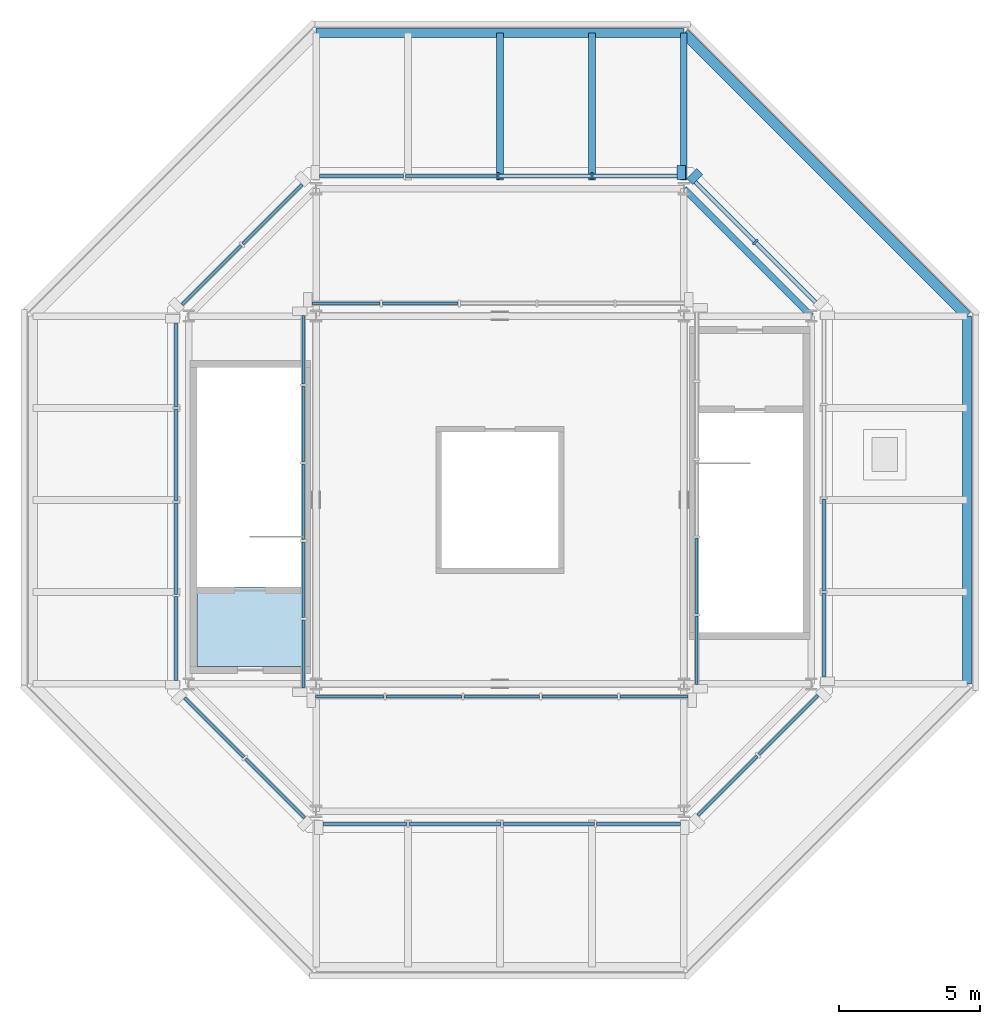
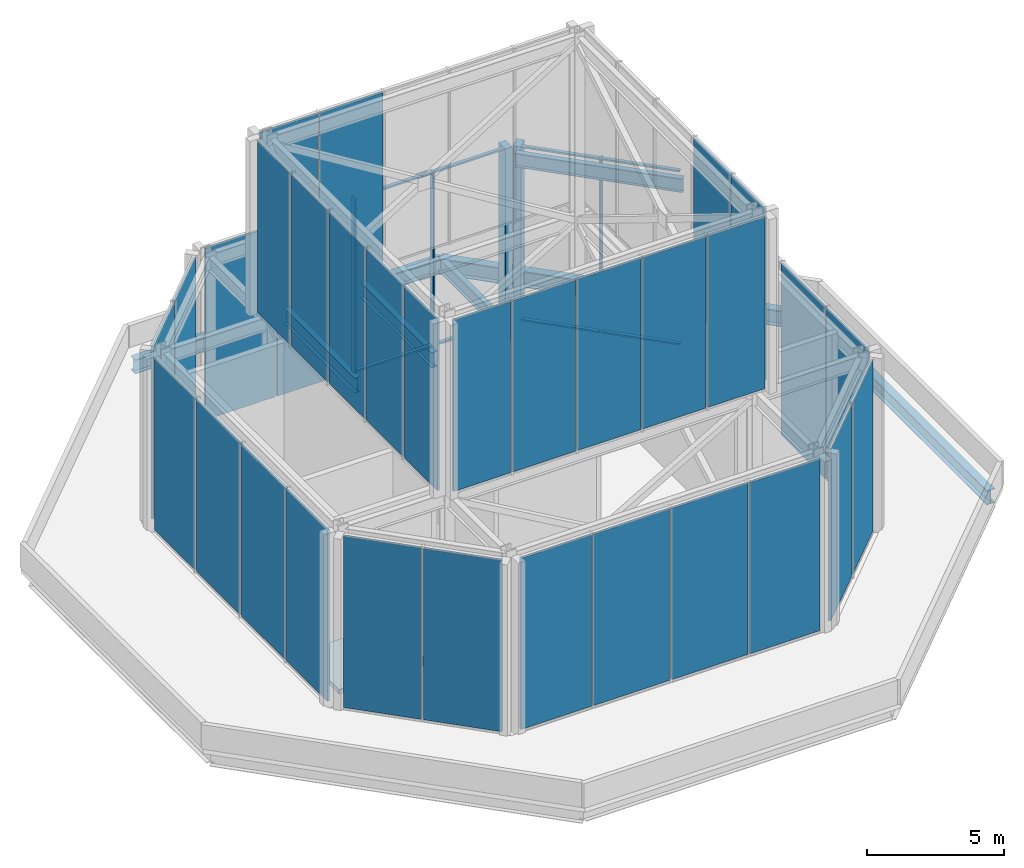
# One storey, part 4 of 6: 32 plates, 13 members, 7 beams, 1 slab, 12 elements without a shape of their own.
"""IFC4 building model written with IfcOpenShell, lengths in metres."""

from ifc_helpers import new_model, si_unit, direction, frame, origin, origin_2d, place, context, subcontext, project, spatial, polyline, rectangle, i_section, outline, extrude, material, layer, layer_set, material_profile, profile_set, type_object, element, aggregate, save


model = new_model("IFC4")

# Units and contexts
model_context = context("Model", 3, precision=1e-05, world=origin(), true_north=direction((0.0, 1.0)))
body_context = subcontext(model_context, "Body", "Model", "MODEL_VIEW")
ifc_project = project(units=[si_unit("LENGTHUNIT", "METRE"), si_unit("AREAUNIT", "SQUARE_METRE"), si_unit("VOLUMEUNIT", "CUBIC_METRE"), si_unit("PLANEANGLEUNIT", "RADIAN"), si_unit("MASSUNIT", "GRAM", prefix="KILO")], contexts=[model_context])

# Site, building, storey
site_placement = place(None, origin())
site = spatial("IfcSite", under=ifc_project, at=site_placement, CompositionType="ELEMENT")
building_placement = place(site_placement, origin())
building = spatial("IfcBuilding", under=site, at=building_placement, Name="Trevanion Tower", CompositionType="ELEMENT")
storey_placement = place(building_placement, frame((0.0, 0.0, 310.199951171875)))
storey = spatial("IfcBuildingStorey", under=building, at=storey_placement, Name="ROOF", CompositionType="ELEMENT", Elevation=310.199951171875)

# Beams
ifc_material_1 = material(Name="Steel ASTM A992 Grade 50", Category="steel")
ifc_material_profile_1 = material_profile(ifc_material_1, i_section(OverallWidth=0.25390625, OverallDepth=0.683349609375, WebThickness=0.012451171875, FlangeThickness=0.01904296875, at=origin_2d()), Name="W27X94")
ifc_profile_set_1 = profile_set([ifc_material_profile_1], Name="Steel ASTM A992 Grade 50")
beam_type_1 = type_object("IfcBeamType", Name="B16 W27X94", PredefinedType="BEAM", material=ifc_profile_set_1)
for number, where, z_axis, x_axis, name in (
    (1, (3.25, 11.300048828125, -0.531494140625), (0.0, 1.0, 0.0), (-1.0, 0.0, 0.0), "B16 ROOF"),
    (2, (0.0, 11.300048828125, -0.531494140625), (0.0, 1.0, 0.0), (-1.0, 0.0, 0.0), "B16 ROOF"),
):
    element("IfcBeam", number, at=place(storey_placement, frame(where, z_axis=z_axis, x_axis=x_axis)), inside=storey, type_object=beam_type_1, Name=name, PredefinedType="BEAM", context=body_context, shape_type="SweptSolid", body=[
        extrude(i_section(OverallWidth=0.25390625, OverallDepth=0.683349609375, WebThickness=0.012451171875, FlangeThickness=0.01904296875, at=origin_2d()), origin(), (0.0, 0.0, 1.0), 5.199951171875),
    ])
ifc_material_2 = material(Name="Steel ASTM A992 Grade 50", Category="steel")
ifc_material_profile_2 = material_profile(ifc_material_2, i_section(OverallWidth=0.23046875, OverallDepth=0.6171875, WebThickness=0.01318359375, FlangeThickness=0.022216796875, at=origin_2d()), Name="W24X94")
ifc_profile_set_2 = profile_set([ifc_material_profile_2], Name="Steel ASTM A992 Grade 50")
beam_type_2 = type_object("IfcBeamType", Name="CR1 W24X94", PredefinedType="BEAM", material=ifc_profile_set_2)
beam_1_placement = place(storey_placement, frame((11.0, 6.5, 7.50146484375), z_axis=(-0.707106781187, 0.707106781187, 0.0), x_axis=(-0.707106781187, -0.707106781187, 0.0)))
element("IfcBeam", 3, at=beam_1_placement, inside=storey, type_object=beam_type_2, Name="CR1 crown T1 ring", PredefinedType="BEAM", context=body_context, shape_type="SweptSolid", body=[
    extrude(i_section(OverallWidth=0.23046875, OverallDepth=0.6171875, WebThickness=0.01318359375, FlangeThickness=0.022216796875, at=origin_2d()), origin(), (0.0, 0.0, 1.0), 6.364013671875),
])

# Curtain wall, member
ifc_material_3 = material(Name="Aluminium louvres", Category="aluminium")
curtain_wall_type = type_object("IfcCurtainWallType", Name="CWC curtain wall", PredefinedType="USERDEFINED", material=ifc_material_3)
curtain_wall_1_placement = place(storey_placement, origin())
curtain_wall_1 = element("IfcCurtainWall", 4, at=curtain_wall_1_placement, inside=storey, type_object=curtain_wall_type, Name="CWC ROOF 0", ObjectType="LOUVRE SCREEN", PredefinedType="USERDEFINED")
ifc_material_4 = material(Name="Aluminium extrusion, anodised bronze", Category="aluminium")
ifc_material_profile_3 = material_profile(ifc_material_4, rectangle(XDim=0.074951171875, YDim=0.25, at=origin_2d()), Name="CWC mullion")
ifc_profile_set_3 = profile_set([ifc_material_profile_3], Name="Aluminium extrusion, anodised bronze")
member_type_1 = type_object("IfcMemberType", Name="CWC mullion", PredefinedType="MULLION", material=ifc_profile_set_3)
member_1_placement = place(storey_placement, frame((9.022216796875, 9.1142578125, 0.0), z_axis=(0.0, 0.0, 1.0), x_axis=(-0.707106781187, 0.707106781187, 0.0)))
member_1 = element("IfcMember", 5, at=member_1_placement, type_object=member_type_1, Name="CWC mullion 2", PredefinedType="MULLION", context=body_context, shape_type="SweptSolid", body=[
    extrude(rectangle(XDim=0.074951171875, YDim=0.25, at=origin_2d()), origin(), (0.0, 0.0, 1.0), 7.81005859375),
])

# Curtain wall, members
curtain_wall_2_placement = place(storey_placement, origin())
curtain_wall_2 = element("IfcCurtainWall", 6, at=curtain_wall_2_placement, inside=storey, type_object=curtain_wall_type, Name="CWC ROOF 1", ObjectType="LOUVRE SCREEN", PredefinedType="USERDEFINED")
member_2_placement = place(storey_placement, frame((3.24560546875, 11.449951171875, 0.0), z_axis=(0.0, 0.0, 1.0), x_axis=(-1.0, 0.0, 0.0)))
member_2 = element("IfcMember", 7, at=member_2_placement, type_object=member_type_1, Name="CWC mullion 2", PredefinedType="MULLION", context=body_context, shape_type="SweptSolid", body=[
    extrude(rectangle(XDim=0.074951171875, YDim=0.25, at=origin_2d()), origin(), (0.0, 0.0, 1.0), 7.81005859375),
])
member_3_placement = place(storey_placement, frame((-0.06494140625, 11.449951171875, 0.0), z_axis=(0.0, 0.0, 1.0), x_axis=(-1.0, 0.0, 0.0)))
member_3 = element("IfcMember", 8, at=member_3_placement, type_object=member_type_1, Name="CWC mullion 3", PredefinedType="MULLION", context=body_context, shape_type="SweptSolid", body=[
    extrude(rectangle(XDim=0.074951171875, YDim=0.25, at=origin_2d()), origin(), (0.0, 0.0, 1.0), 7.81005859375),
])

# Member
ifc_material_5 = material(Name="Aluminium extrusion, anodised bronze", Category="aluminium")
ifc_material_profile_4 = material_profile(ifc_material_5, rectangle(XDim=0.300048828125, YDim=0.5, at=origin_2d()), Name="CWC pier mullion")
ifc_profile_set_4 = profile_set([ifc_material_profile_4], Name="Aluminium extrusion, anodised bronze")
member_type_2 = type_object("IfcMemberType", Name="CWC pier mullion", PredefinedType="MULLION", material=ifc_profile_set_4)
member_4_placement = place(storey_placement, frame((6.880859375, 11.432373046875, 0.0), z_axis=(0.0, 0.0, 1.0), x_axis=(-0.707106781187, 0.707106781187, 0.0)))
member_4 = element("IfcMember", 9, at=member_4_placement, type_object=member_type_2, Name="CWC pier mullion 3", PredefinedType="MULLION", context=body_context, shape_type="SweptSolid", body=[
    extrude(rectangle(XDim=0.300048828125, YDim=0.5, at=origin_2d()), origin(), (0.0, 0.0, 1.0), 7.81005859375),
])

member_5_placement = place(storey_placement, frame((6.406494140625, 11.574951171875, 0.0), z_axis=(0.0, 0.0, 1.0), x_axis=(-1.0, 0.0, 0.0)))
member_5 = element("IfcMember", 10, at=member_5_placement, type_object=member_type_2, Name="CWC pier mullion 1", PredefinedType="MULLION", context=body_context, shape_type="SweptSolid", body=[
    extrude(rectangle(XDim=0.300048828125, YDim=0.5, at=origin_2d()), origin(), (0.0, 0.0, 1.0), 7.81005859375),
])

ifc_material_6 = material(Name="Aluminium extrusion, anodised bronze", Category="aluminium")
ifc_material_profile_5 = material_profile(ifc_material_6, rectangle(XDim=0.14990234375, YDim=0.074951171875, at=origin_2d()), Name="CWC transom")
ifc_profile_set_5 = profile_set([ifc_material_profile_5], Name="Aluminium extrusion, anodised bronze")
member_type_3 = type_object("IfcMemberType", Name="CWC transom", PredefinedType="USERDEFINED", material=ifc_profile_set_5)
member_6_placement = place(storey_placement, frame((11.14599609375, 6.990478515625, 0.03759765625), z_axis=(-0.707106781187, 0.707106781187, 0.0), x_axis=(-0.707106781187, -0.707106781187, 0.0)))
member_6 = element("IfcMember", 11, at=member_6_placement, type_object=member_type_3, Name="CWC transom 1.1", ObjectType="TRANSOM", PredefinedType="USERDEFINED", context=body_context, shape_type="SweptSolid", body=[
    extrude(rectangle(XDim=0.14990234375, YDim=0.074951171875, at=origin_2d()), origin(), (0.0, 0.0, 1.0), 2.9658203125),
])

member_7_placement = place(storey_placement, frame((11.14599609375, 6.990478515625, 7.7724609375), z_axis=(-0.707106781187, 0.707106781187, 0.0), x_axis=(-0.707106781187, -0.707106781187, 0.0)))
member_7 = element("IfcMember", 12, at=member_7_placement, type_object=member_type_3, Name="CWC transom 1.2", ObjectType="TRANSOM", PredefinedType="USERDEFINED", context=body_context, shape_type="SweptSolid", body=[
    extrude(rectangle(XDim=0.14990234375, YDim=0.074951171875, at=origin_2d()), origin(), (0.0, 0.0, 1.0), 2.9658203125),
])

member_8_placement = place(storey_placement, frame((8.99560546875, 9.140625, 0.03759765625), z_axis=(-0.707106781187, 0.707106781187, 0.0), x_axis=(-0.707106781187, -0.707106781187, 0.0)))
member_8 = element("IfcMember", 13, at=member_8_placement, type_object=member_type_3, Name="CWC transom 2.1", ObjectType="TRANSOM", PredefinedType="USERDEFINED", context=body_context, shape_type="SweptSolid", body=[
    extrude(rectangle(XDim=0.14990234375, YDim=0.074951171875, at=origin_2d()), origin(), (0.0, 0.0, 1.0), 2.9658203125),
])

member_9_placement = place(storey_placement, frame((8.99560546875, 9.140625, 7.7724609375), z_axis=(-0.707106781187, 0.707106781187, 0.0), x_axis=(-0.707106781187, -0.707106781187, 0.0)))
member_9 = element("IfcMember", 14, at=member_9_placement, type_object=member_type_3, Name="CWC transom 2.2", ObjectType="TRANSOM", PredefinedType="USERDEFINED", context=body_context, shape_type="SweptSolid", body=[
    extrude(rectangle(XDim=0.14990234375, YDim=0.074951171875, at=origin_2d()), origin(), (0.0, 0.0, 1.0), 2.9658203125),
])

aggregate(curtain_wall_1, [member_1, member_4, member_6, member_7, member_8, member_9])

member_10_placement = place(storey_placement, frame((6.25634765625, 11.449951171875, 0.03759765625), z_axis=(-1.0, 0.0, 0.0), x_axis=(0.0, -1.0, 0.0)))
member_10 = element("IfcMember", 15, at=member_10_placement, type_object=member_type_3, Name="CWC transom 1.1", ObjectType="TRANSOM", PredefinedType="USERDEFINED", context=body_context, shape_type="SweptSolid", body=[
    extrude(rectangle(XDim=0.14990234375, YDim=0.074951171875, at=origin_2d()), origin(), (0.0, 0.0, 1.0), 2.97314453125),
])

member_11_placement = place(storey_placement, frame((6.25634765625, 11.449951171875, 7.7724609375), z_axis=(-1.0, 0.0, 0.0), x_axis=(0.0, -1.0, 0.0)))
member_11 = element("IfcMember", 16, at=member_11_placement, type_object=member_type_3, Name="CWC transom 1.2", ObjectType="TRANSOM", PredefinedType="USERDEFINED", context=body_context, shape_type="SweptSolid", body=[
    extrude(rectangle(XDim=0.14990234375, YDim=0.074951171875, at=origin_2d()), origin(), (0.0, 0.0, 1.0), 2.97314453125),
])

member_12_placement = place(storey_placement, frame((3.208251953125, 11.449951171875, 0.03759765625), z_axis=(-1.0, 0.0, 0.0), x_axis=(0.0, -1.0, 0.0)))
member_12 = element("IfcMember", 17, at=member_12_placement, type_object=member_type_3, Name="CWC transom 2.1", ObjectType="TRANSOM", PredefinedType="USERDEFINED", context=body_context, shape_type="SweptSolid", body=[
    extrude(rectangle(XDim=0.14990234375, YDim=0.074951171875, at=origin_2d()), origin(), (0.0, 0.0, 1.0), 3.23583984375),
])

member_13_placement = place(storey_placement, frame((3.208251953125, 11.449951171875, 7.7724609375), z_axis=(-1.0, 0.0, 0.0), x_axis=(0.0, -1.0, 0.0)))
member_13 = element("IfcMember", 18, at=member_13_placement, type_object=member_type_3, Name="CWC transom 2.2", ObjectType="TRANSOM", PredefinedType="USERDEFINED", context=body_context, shape_type="SweptSolid", body=[
    extrude(rectangle(XDim=0.14990234375, YDim=0.074951171875, at=origin_2d()), origin(), (0.0, 0.0, 1.0), 3.23583984375),
])

# Beams
ifc_material_7 = material(Name="Steel ASTM A992 Grade 50", Category="steel")
ifc_material_profile_6 = material_profile(ifc_material_7, i_section(OverallWidth=0.22900390625, OverallDepth=0.612060546875, WebThickness=0.011962890625, FlangeThickness=0.01953125, at=origin_2d()), Name="W24X84")
ifc_profile_set_6 = profile_set([ifc_material_profile_6], Name="Steel ASTM A992 Grade 50")
beam_type_3 = type_object("IfcBeamType", Name="G9 W24X84", PredefinedType="BEAM", material=ifc_profile_set_6)
beam_2_placement = place(storey_placement, frame((6.5, 11.300048828125, -0.49609375), z_axis=(0.0, 1.0, 0.0), x_axis=(-1.0, 0.0, 0.0)))
element("IfcBeam", 19, at=beam_2_placement, inside=storey, type_object=beam_type_3, Name="G9 ROOF", PredefinedType="BEAM", context=body_context, shape_type="SweptSolid", body=[
    extrude(i_section(OverallWidth=0.22900390625, OverallDepth=0.612060546875, WebThickness=0.011962890625, FlangeThickness=0.01953125, at=origin_2d()), origin(), (0.0, 0.0, 1.0), 5.199951171875),
])
ifc_material_8 = material(Name="Steel ASTM A992 Grade 50", Category="steel")
ifc_material_profile_7 = material_profile(ifc_material_8, i_section(OverallWidth=0.330078125, OverallDepth=0.635009765625, WebThickness=0.017822265625, FlangeThickness=0.031005859375, at=origin_2d()), Name="W24X162")
ifc_profile_set_7 = profile_set([ifc_material_profile_7], Name="Steel ASTM A992 Grade 50")
beam_type_4 = type_object("IfcBeamType", Name="SB14 W24X162", PredefinedType="SPANDREL", material=ifc_profile_set_7)
for number, where, z_axis, x_axis, name in (
    (20, (16.5, -6.5, -0.507568359375), (0.0, 1.0, 0.0), (-1.0, 0.0, 0.0), "SB14 ROOF"),
    (21, (6.5, 16.5, -0.507568359375), (-1.0, 0.0, 0.0), (0.0, -1.0, 0.0), "SB14 ROOF"),
):
    element("IfcBeam", number, at=place(storey_placement, frame(where, z_axis=z_axis, x_axis=x_axis)), inside=storey, type_object=beam_type_4, Name=name, PredefinedType="SPANDREL", context=body_context, shape_type="SweptSolid", body=[
        extrude(i_section(OverallWidth=0.330078125, OverallDepth=0.635009765625, WebThickness=0.017822265625, FlangeThickness=0.031005859375, at=origin_2d()), origin(), (0.0, 0.0, 1.0), 13.0),
    ])
ifc_material_9 = material(Name="Steel ASTM A992 Grade 50", Category="steel")
ifc_material_profile_8 = material_profile(ifc_material_9, i_section(OverallWidth=0.358154296875, OverallDepth=0.7060546875, WebThickness=0.018310546875, FlangeThickness=0.0302734375, at=origin_2d()), Name="W27X178")
ifc_profile_set_8 = profile_set([ifc_material_profile_8], Name="Steel ASTM A992 Grade 50")
beam_type_5 = type_object("IfcBeamType", Name="SB15 W27X178", PredefinedType="SPANDREL", material=ifc_profile_set_8)
beam_3_placement = place(storey_placement, frame((16.5, 6.5, -0.54296875), z_axis=(-0.707106781187, 0.707106781187, 0.0), x_axis=(-0.707106781187, -0.707106781187, 0.0)))
element("IfcBeam", 22, at=beam_3_placement, inside=storey, type_object=beam_type_5, Name="SB15 ROOF", PredefinedType="SPANDREL", context=body_context, shape_type="SweptSolid", body=[
    extrude(i_section(OverallWidth=0.358154296875, OverallDepth=0.7060546875, WebThickness=0.018310546875, FlangeThickness=0.0302734375, at=origin_2d()), origin(), (0.0, 0.0, 1.0), 14.14208984375),
])

# Plate
ifc_material_10 = material(Name="Aluminium louvres", Category="aluminium")
ifc_layer_1 = layer(ifc_material_10, 0.10009765625)
ifc_layer_set_1 = layer_set([ifc_layer_1], Name="CWC louvre panel")
plate_type = type_object("IfcPlateType", Name="CWC louvre panel", PredefinedType="CURTAIN_PANEL", material=ifc_layer_set_1)
plate_1_placement = place(storey_placement, frame((-1.72021484375, 11.449951171875, 0.0751953125), z_axis=(0.0, 0.0, 1.0), x_axis=(-1.0, 0.0, 0.0)))
plate_1 = element("IfcPlate", 23, at=plate_1_placement, type_object=plate_type, Name="CWC panel 3.1", PredefinedType="CURTAIN_PANEL", context=body_context, shape_type="SweptSolid", body=[
    extrude(rectangle(XDim=3.235595703125, YDim=0.10009765625, at=origin_2d()), origin(), (0.0, 0.0, 1.0), 7.659912109375),
])

plate_2_placement = place(storey_placement, frame((-4.89990234375, 11.449951171875, 0.0751953125), z_axis=(0.0, 0.0, 1.0), x_axis=(-1.0, 0.0, 0.0)))
plate_2 = element("IfcPlate", 24, at=plate_2_placement, type_object=plate_type, Name="CWC panel 4.1", PredefinedType="CURTAIN_PANEL", context=body_context, shape_type="SweptSolid", body=[
    extrude(rectangle(XDim=2.97314453125, YDim=0.10009765625, at=origin_2d()), origin(), (0.0, 0.0, 1.0), 7.659912109375),
])

aggregate(curtain_wall_2, [member_5, member_2, member_3, member_10, member_11, member_12, member_13, plate_1, plate_2])

# Curtain wall, plates
curtain_wall_3_placement = place(storey_placement, origin())
curtain_wall_3 = element("IfcCurtainWall", 25, at=curtain_wall_3_placement, inside=storey, type_object=curtain_wall_type, Name="CWC ROOF 2", ObjectType="LOUVRE SCREEN", PredefinedType="USERDEFINED")
plate_3_placement = place(storey_placement, frame((-8.0390625, 10.097412109375, 0.0751953125), z_axis=(0.0, 0.0, 1.0), x_axis=(-0.707106781187, -0.707106781187, 0.0)))
plate_3 = element("IfcPlate", 26, at=plate_3_placement, type_object=plate_type, Name="CWC panel 1.1", PredefinedType="CURTAIN_PANEL", context=body_context, shape_type="SweptSolid", body=[
    extrude(rectangle(XDim=2.9658203125, YDim=0.10009765625, at=origin_2d()), origin(), (0.0, 0.0, 1.0), 7.659912109375),
])
plate_4_placement = place(storey_placement, frame((-10.189208984375, 7.947021484375, 0.0751953125), z_axis=(0.0, 0.0, 1.0), x_axis=(-0.707106781187, -0.707106781187, 0.0)))
plate_4 = element("IfcPlate", 27, at=plate_4_placement, type_object=plate_type, Name="CWC panel 2.1", PredefinedType="CURTAIN_PANEL", context=body_context, shape_type="SweptSolid", body=[
    extrude(rectangle(XDim=2.9658203125, YDim=0.10009765625, at=origin_2d()), origin(), (0.0, 0.0, 1.0), 7.659912109375),
])
aggregate(curtain_wall_3, [plate_3, plate_4])

curtain_wall_4_placement = place(storey_placement, origin())
curtain_wall_4 = element("IfcCurtainWall", 28, at=curtain_wall_4_placement, inside=storey, type_object=curtain_wall_type, Name="CWC ROOF 3", ObjectType="LOUVRE SCREEN", PredefinedType="USERDEFINED")
plate_5_placement = place(storey_placement, frame((-11.449951171875, 4.769775390625, 0.0751953125), z_axis=(0.0, 0.0, 1.0), x_axis=(0.0, -1.0, 0.0)))
plate_5 = element("IfcPlate", 29, at=plate_5_placement, type_object=plate_type, Name="CWC panel 1.1", PredefinedType="CURTAIN_PANEL", context=body_context, shape_type="SweptSolid", body=[
    extrude(rectangle(XDim=2.97314453125, YDim=0.10009765625, at=origin_2d()), origin(), (0.0, 0.0, 1.0), 7.659912109375),
])
plate_6_placement = place(storey_placement, frame((-11.449951171875, 1.59033203125, 0.0751953125), z_axis=(0.0, 0.0, 1.0), x_axis=(0.0, -1.0, 0.0)))
plate_6 = element("IfcPlate", 30, at=plate_6_placement, type_object=plate_type, Name="CWC panel 2.1", PredefinedType="CURTAIN_PANEL", context=body_context, shape_type="SweptSolid", body=[
    extrude(rectangle(XDim=3.235595703125, YDim=0.10009765625, at=origin_2d()), origin(), (0.0, 0.0, 1.0), 7.659912109375),
])
plate_7_placement = place(storey_placement, frame((-11.449951171875, -1.72021484375, 0.0751953125), z_axis=(0.0, 0.0, 1.0), x_axis=(0.0, -1.0, 0.0)))
plate_7 = element("IfcPlate", 31, at=plate_7_placement, type_object=plate_type, Name="CWC panel 3.1", PredefinedType="CURTAIN_PANEL", context=body_context, shape_type="SweptSolid", body=[
    extrude(rectangle(XDim=3.235595703125, YDim=0.10009765625, at=origin_2d()), origin(), (0.0, 0.0, 1.0), 7.659912109375),
])
plate_8_placement = place(storey_placement, frame((-11.449951171875, -4.89990234375, 0.0751953125), z_axis=(0.0, 0.0, 1.0), x_axis=(0.0, -1.0, 0.0)))
plate_8 = element("IfcPlate", 32, at=plate_8_placement, type_object=plate_type, Name="CWC panel 4.1", PredefinedType="CURTAIN_PANEL", context=body_context, shape_type="SweptSolid", body=[
    extrude(rectangle(XDim=2.97314453125, YDim=0.10009765625, at=origin_2d()), origin(), (0.0, 0.0, 1.0), 7.659912109375),
])
aggregate(curtain_wall_4, [plate_5, plate_6, plate_7, plate_8])

curtain_wall_5_placement = place(storey_placement, origin())
curtain_wall_5 = element("IfcCurtainWall", 33, at=curtain_wall_5_placement, inside=storey, type_object=curtain_wall_type, Name="CWC ROOF 4", ObjectType="LOUVRE SCREEN", PredefinedType="USERDEFINED")
plate_9_placement = place(storey_placement, frame((-10.097412109375, -8.0390625, 0.0751953125), z_axis=(0.0, 0.0, 1.0), x_axis=(0.707106781187, -0.707106781187, 0.0)))
plate_9 = element("IfcPlate", 34, at=plate_9_placement, type_object=plate_type, Name="CWC panel 1.1", PredefinedType="CURTAIN_PANEL", context=body_context, shape_type="SweptSolid", body=[
    extrude(rectangle(XDim=2.9658203125, YDim=0.10009765625, at=origin_2d()), origin(), (0.0, 0.0, 1.0), 7.659912109375),
])
plate_10_placement = place(storey_placement, frame((-7.947021484375, -10.189208984375, 0.0751953125), z_axis=(0.0, 0.0, 1.0), x_axis=(0.707106781187, -0.707106781187, 0.0)))
plate_10 = element("IfcPlate", 35, at=plate_10_placement, type_object=plate_type, Name="CWC panel 2.1", PredefinedType="CURTAIN_PANEL", context=body_context, shape_type="SweptSolid", body=[
    extrude(rectangle(XDim=2.9658203125, YDim=0.10009765625, at=origin_2d()), origin(), (0.0, 0.0, 1.0), 7.659912109375),
])
aggregate(curtain_wall_5, [plate_9, plate_10])

curtain_wall_6_placement = place(storey_placement, origin())
curtain_wall_6 = element("IfcCurtainWall", 36, at=curtain_wall_6_placement, inside=storey, type_object=curtain_wall_type, Name="CWC ROOF 5", ObjectType="LOUVRE SCREEN", PredefinedType="USERDEFINED")
plate_11_placement = place(storey_placement, frame((-4.769775390625, -11.449951171875, 0.0751953125), z_axis=(0.0, 0.0, 1.0), x_axis=(1.0, 0.0, 0.0)))
plate_11 = element("IfcPlate", 37, at=plate_11_placement, type_object=plate_type, Name="CWC panel 1.1", PredefinedType="CURTAIN_PANEL", context=body_context, shape_type="SweptSolid", body=[
    extrude(rectangle(XDim=2.97314453125, YDim=0.10009765625, at=origin_2d()), origin(), (0.0, 0.0, 1.0), 7.659912109375),
])
plate_12_placement = place(storey_placement, frame((-1.59033203125, -11.449951171875, 0.0751953125), z_axis=(0.0, 0.0, 1.0), x_axis=(1.0, 0.0, 0.0)))
plate_12 = element("IfcPlate", 38, at=plate_12_placement, type_object=plate_type, Name="CWC panel 2.1", PredefinedType="CURTAIN_PANEL", context=body_context, shape_type="SweptSolid", body=[
    extrude(rectangle(XDim=3.235595703125, YDim=0.10009765625, at=origin_2d()), origin(), (0.0, 0.0, 1.0), 7.659912109375),
])
plate_13_placement = place(storey_placement, frame((1.72021484375, -11.449951171875, 0.0751953125), z_axis=(0.0, 0.0, 1.0), x_axis=(1.0, 0.0, 0.0)))
plate_13 = element("IfcPlate", 39, at=plate_13_placement, type_object=plate_type, Name="CWC panel 3.1", PredefinedType="CURTAIN_PANEL", context=body_context, shape_type="SweptSolid", body=[
    extrude(rectangle(XDim=3.235595703125, YDim=0.10009765625, at=origin_2d()), origin(), (0.0, 0.0, 1.0), 7.659912109375),
])
plate_14_placement = place(storey_placement, frame((4.89990234375, -11.449951171875, 0.0751953125), z_axis=(0.0, 0.0, 1.0), x_axis=(1.0, 0.0, 0.0)))
plate_14 = element("IfcPlate", 40, at=plate_14_placement, type_object=plate_type, Name="CWC panel 4.1", PredefinedType="CURTAIN_PANEL", context=body_context, shape_type="SweptSolid", body=[
    extrude(rectangle(XDim=2.97314453125, YDim=0.10009765625, at=origin_2d()), origin(), (0.0, 0.0, 1.0), 7.659912109375),
])
aggregate(curtain_wall_6, [plate_11, plate_12, plate_13, plate_14])

curtain_wall_7_placement = place(storey_placement, origin())
curtain_wall_7 = element("IfcCurtainWall", 41, at=curtain_wall_7_placement, inside=storey, type_object=curtain_wall_type, Name="CWC ROOF 6", ObjectType="LOUVRE SCREEN", PredefinedType="USERDEFINED")
plate_15_placement = place(storey_placement, frame((8.0390625, -10.097412109375, 0.0751953125), z_axis=(0.0, 0.0, 1.0), x_axis=(0.707106781187, 0.707106781187, 0.0)))
plate_15 = element("IfcPlate", 42, at=plate_15_placement, type_object=plate_type, Name="CWC panel 1.1", PredefinedType="CURTAIN_PANEL", context=body_context, shape_type="SweptSolid", body=[
    extrude(rectangle(XDim=2.9658203125, YDim=0.10009765625, at=origin_2d()), origin(), (0.0, 0.0, 1.0), 7.659912109375),
])
plate_16_placement = place(storey_placement, frame((10.189208984375, -7.947021484375, 0.0751953125), z_axis=(0.0, 0.0, 1.0), x_axis=(0.707106781187, 0.707106781187, 0.0)))
plate_16 = element("IfcPlate", 43, at=plate_16_placement, type_object=plate_type, Name="CWC panel 2.1", PredefinedType="CURTAIN_PANEL", context=body_context, shape_type="SweptSolid", body=[
    extrude(rectangle(XDim=2.9658203125, YDim=0.10009765625, at=origin_2d()), origin(), (0.0, 0.0, 1.0), 7.659912109375),
])
aggregate(curtain_wall_7, [plate_15, plate_16])

curtain_wall_8_placement = place(storey_placement, origin())
curtain_wall_8 = element("IfcCurtainWall", 44, at=curtain_wall_8_placement, inside=storey, type_object=curtain_wall_type, Name="CWC ROOF 7", ObjectType="LOUVRE SCREEN", PredefinedType="USERDEFINED")
plate_17_placement = place(storey_placement, frame((11.449951171875, -4.769775390625, 0.0751953125), z_axis=(0.0, 0.0, 1.0), x_axis=(0.0, 1.0, 0.0)))
plate_17 = element("IfcPlate", 45, at=plate_17_placement, type_object=plate_type, Name="CWC panel 1.1", PredefinedType="CURTAIN_PANEL", context=body_context, shape_type="SweptSolid", body=[
    extrude(rectangle(XDim=2.97314453125, YDim=0.10009765625, at=origin_2d()), origin(), (0.0, 0.0, 1.0), 7.659912109375),
])
plate_18_placement = place(storey_placement, frame((11.449951171875, -1.59033203125, 0.0751953125), z_axis=(0.0, 0.0, 1.0), x_axis=(0.0, 1.0, 0.0)))
plate_18 = element("IfcPlate", 46, at=plate_18_placement, type_object=plate_type, Name="CWC panel 2.1", PredefinedType="CURTAIN_PANEL", context=body_context, shape_type="SweptSolid", body=[
    extrude(rectangle(XDim=3.235595703125, YDim=0.10009765625, at=origin_2d()), origin(), (0.0, 0.0, 1.0), 7.659912109375),
])
aggregate(curtain_wall_8, [plate_17, plate_18])

curtain_wall_9_placement = place(storey_placement, origin())
curtain_wall_9 = element("IfcCurtainWall", 47, at=curtain_wall_9_placement, inside=storey, type_object=curtain_wall_type, Name="CWC ROOF 0", ObjectType="LOUVRE SCREEN", PredefinedType="USERDEFINED")
plate_19_placement = place(storey_placement, frame((-2.819091796875, 6.949951171875, 8.0751953125), z_axis=(0.0, 0.0, 1.0), x_axis=(-1.0, 0.0, 0.0)))
plate_19 = element("IfcPlate", 48, at=plate_19_placement, type_object=plate_type, Name="CWC panel 4.1", PredefinedType="CURTAIN_PANEL", context=body_context, shape_type="SweptSolid", body=[
    extrude(rectangle(XDim=2.678955078125, YDim=0.10009765625, at=origin_2d()), origin(), (0.0, 0.0, 1.0), 7.659912109375),
])
plate_20_placement = place(storey_placement, frame((-5.441650390625, 6.949951171875, 8.0751953125), z_axis=(0.0, 0.0, 1.0), x_axis=(-1.0, 0.0, 0.0)))
plate_20 = element("IfcPlate", 49, at=plate_20_placement, type_object=plate_type, Name="CWC panel 5.1", PredefinedType="CURTAIN_PANEL", context=body_context, shape_type="SweptSolid", body=[
    extrude(rectangle(XDim=2.41650390625, YDim=0.10009765625, at=origin_2d()), origin(), (0.0, 0.0, 1.0), 7.659912109375),
])
aggregate(curtain_wall_9, [plate_19, plate_20])

curtain_wall_10_placement = place(storey_placement, origin())
curtain_wall_10 = element("IfcCurtainWall", 50, at=curtain_wall_10_placement, inside=storey, type_object=curtain_wall_type, Name="CWC ROOF 1", ObjectType="LOUVRE SCREEN", PredefinedType="USERDEFINED")
plate_21_placement = place(storey_placement, frame((-6.949951171875, 5.311767578125, 8.0751953125), z_axis=(0.0, 0.0, 1.0), x_axis=(0.0, -1.0, 0.0)))
plate_21 = element("IfcPlate", 51, at=plate_21_placement, type_object=plate_type, Name="CWC panel 1.1", PredefinedType="CURTAIN_PANEL", context=body_context, shape_type="SweptSolid", body=[
    extrude(rectangle(XDim=2.41650390625, YDim=0.10009765625, at=origin_2d()), origin(), (0.0, 0.0, 1.0), 7.659912109375),
])
plate_22_placement = place(storey_placement, frame((-6.949951171875, 2.68896484375, 8.0751953125), z_axis=(0.0, 0.0, 1.0), x_axis=(0.0, -1.0, 0.0)))
plate_22 = element("IfcPlate", 52, at=plate_22_placement, type_object=plate_type, Name="CWC panel 2.1", PredefinedType="CURTAIN_PANEL", context=body_context, shape_type="SweptSolid", body=[
    extrude(rectangle(XDim=2.678955078125, YDim=0.10009765625, at=origin_2d()), origin(), (0.0, 0.0, 1.0), 7.659912109375),
])
plate_23_placement = place(storey_placement, frame((-6.949951171875, -0.06494140625, 8.0751953125), z_axis=(0.0, 0.0, 1.0), x_axis=(0.0, -1.0, 0.0)))
plate_23 = element("IfcPlate", 53, at=plate_23_placement, type_object=plate_type, Name="CWC panel 3.1", PredefinedType="CURTAIN_PANEL", context=body_context, shape_type="SweptSolid", body=[
    extrude(rectangle(XDim=2.678955078125, YDim=0.10009765625, at=origin_2d()), origin(), (0.0, 0.0, 1.0), 7.659912109375),
])
plate_24_placement = place(storey_placement, frame((-6.949951171875, -2.819091796875, 8.0751953125), z_axis=(0.0, 0.0, 1.0), x_axis=(0.0, -1.0, 0.0)))
plate_24 = element("IfcPlate", 54, at=plate_24_placement, type_object=plate_type, Name="CWC panel 4.1", PredefinedType="CURTAIN_PANEL", context=body_context, shape_type="SweptSolid", body=[
    extrude(rectangle(XDim=2.678955078125, YDim=0.10009765625, at=origin_2d()), origin(), (0.0, 0.0, 1.0), 7.659912109375),
])
plate_25_placement = place(storey_placement, frame((-6.949951171875, -5.441650390625, 8.0751953125), z_axis=(0.0, 0.0, 1.0), x_axis=(0.0, -1.0, 0.0)))
plate_25 = element("IfcPlate", 55, at=plate_25_placement, type_object=plate_type, Name="CWC panel 5.1", PredefinedType="CURTAIN_PANEL", context=body_context, shape_type="SweptSolid", body=[
    extrude(rectangle(XDim=2.41650390625, YDim=0.10009765625, at=origin_2d()), origin(), (0.0, 0.0, 1.0), 7.659912109375),
])
aggregate(curtain_wall_10, [plate_21, plate_22, plate_23, plate_24, plate_25])

curtain_wall_11_placement = place(storey_placement, origin())
curtain_wall_11 = element("IfcCurtainWall", 56, at=curtain_wall_11_placement, inside=storey, type_object=curtain_wall_type, Name="CWC ROOF 2", ObjectType="LOUVRE SCREEN", PredefinedType="USERDEFINED")
plate_26_placement = place(storey_placement, frame((-5.311767578125, -6.949951171875, 8.0751953125), z_axis=(0.0, 0.0, 1.0), x_axis=(1.0, 0.0, 0.0)))
plate_26 = element("IfcPlate", 57, at=plate_26_placement, type_object=plate_type, Name="CWC panel 1.1", PredefinedType="CURTAIN_PANEL", context=body_context, shape_type="SweptSolid", body=[
    extrude(rectangle(XDim=2.41650390625, YDim=0.10009765625, at=origin_2d()), origin(), (0.0, 0.0, 1.0), 7.659912109375),
])
plate_27_placement = place(storey_placement, frame((-2.68896484375, -6.949951171875, 8.0751953125), z_axis=(0.0, 0.0, 1.0), x_axis=(1.0, 0.0, 0.0)))
plate_27 = element("IfcPlate", 58, at=plate_27_placement, type_object=plate_type, Name="CWC panel 2.1", PredefinedType="CURTAIN_PANEL", context=body_context, shape_type="SweptSolid", body=[
    extrude(rectangle(XDim=2.678955078125, YDim=0.10009765625, at=origin_2d()), origin(), (0.0, 0.0, 1.0), 7.659912109375),
])
plate_28_placement = place(storey_placement, frame((0.06494140625, -6.949951171875, 8.0751953125), z_axis=(0.0, 0.0, 1.0), x_axis=(1.0, 0.0, 0.0)))
plate_28 = element("IfcPlate", 59, at=plate_28_placement, type_object=plate_type, Name="CWC panel 3.1", PredefinedType="CURTAIN_PANEL", context=body_context, shape_type="SweptSolid", body=[
    extrude(rectangle(XDim=2.678955078125, YDim=0.10009765625, at=origin_2d()), origin(), (0.0, 0.0, 1.0), 7.659912109375),
])
plate_29_placement = place(storey_placement, frame((2.819091796875, -6.949951171875, 8.0751953125), z_axis=(0.0, 0.0, 1.0), x_axis=(1.0, 0.0, 0.0)))
plate_29 = element("IfcPlate", 60, at=plate_29_placement, type_object=plate_type, Name="CWC panel 4.1", PredefinedType="CURTAIN_PANEL", context=body_context, shape_type="SweptSolid", body=[
    extrude(rectangle(XDim=2.678955078125, YDim=0.10009765625, at=origin_2d()), origin(), (0.0, 0.0, 1.0), 7.659912109375),
])
plate_30_placement = place(storey_placement, frame((5.441650390625, -6.949951171875, 8.0751953125), z_axis=(0.0, 0.0, 1.0), x_axis=(1.0, 0.0, 0.0)))
plate_30 = element("IfcPlate", 61, at=plate_30_placement, type_object=plate_type, Name="CWC panel 5.1", PredefinedType="CURTAIN_PANEL", context=body_context, shape_type="SweptSolid", body=[
    extrude(rectangle(XDim=2.41650390625, YDim=0.10009765625, at=origin_2d()), origin(), (0.0, 0.0, 1.0), 7.659912109375),
])
aggregate(curtain_wall_11, [plate_26, plate_27, plate_28, plate_29, plate_30])

curtain_wall_12_placement = place(storey_placement, origin())
curtain_wall_12 = element("IfcCurtainWall", 62, at=curtain_wall_12_placement, inside=storey, type_object=curtain_wall_type, Name="CWC ROOF 3", ObjectType="LOUVRE SCREEN", PredefinedType="USERDEFINED")
plate_31_placement = place(storey_placement, frame((6.949951171875, -5.311767578125, 8.0751953125), z_axis=(0.0, 0.0, 1.0), x_axis=(0.0, 1.0, 0.0)))
plate_31 = element("IfcPlate", 63, at=plate_31_placement, type_object=plate_type, Name="CWC panel 1.1", PredefinedType="CURTAIN_PANEL", context=body_context, shape_type="SweptSolid", body=[
    extrude(rectangle(XDim=2.41650390625, YDim=0.10009765625, at=origin_2d()), origin(), (0.0, 0.0, 1.0), 7.659912109375),
])
plate_32_placement = place(storey_placement, frame((6.949951171875, -2.68896484375, 8.0751953125), z_axis=(0.0, 0.0, 1.0), x_axis=(0.0, 1.0, 0.0)))
plate_32 = element("IfcPlate", 64, at=plate_32_placement, type_object=plate_type, Name="CWC panel 2.1", PredefinedType="CURTAIN_PANEL", context=body_context, shape_type="SweptSolid", body=[
    extrude(rectangle(XDim=2.678955078125, YDim=0.10009765625, at=origin_2d()), origin(), (0.0, 0.0, 1.0), 7.659912109375),
])
aggregate(curtain_wall_12, [plate_31, plate_32])

# Slab
ifc_material_11 = material(Name="Concrete 5,000 psi", Category="concrete")
ifc_layer_2 = layer(ifc_material_11, 0.199951171875)
ifc_layer_set_2 = layer_set([ifc_layer_2], Name="SL2 core floor 200")
slab_type = type_object("IfcSlabType", Name="SL2 core floor 200", PredefinedType="FLOOR", material=ifc_layer_set_2)
slab_placement = place(storey_placement, frame((0.0, 0.0, -0.199951171875)))
element("IfcSlab", 65, at=slab_placement, inside=storey, type_object=slab_type, Name="SL2 ROOF W roof access lobby floor", PredefinedType="FLOOR", context=body_context, shape_type="SweptSolid", body=[
    extrude(outline(polyline([(-6.949951171875, -3.074951171875), (-10.699951171875, -3.074951171875), (-10.699951171875, -5.875), (-6.949951171875, -5.875), (-6.949951171875, -3.074951171875)])), origin(), (0.0, 0.0, 1.0), 0.199951171875),
])

save(model, "model.ifc")
